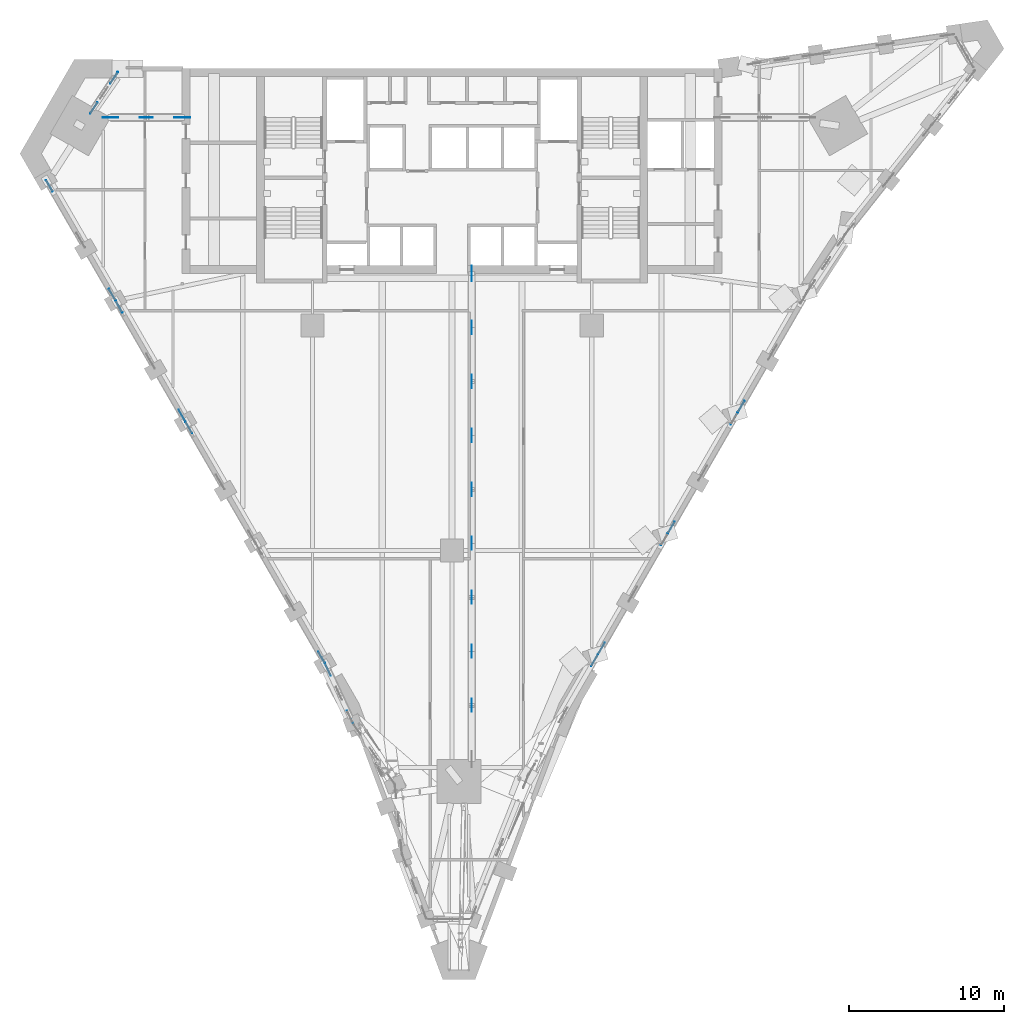
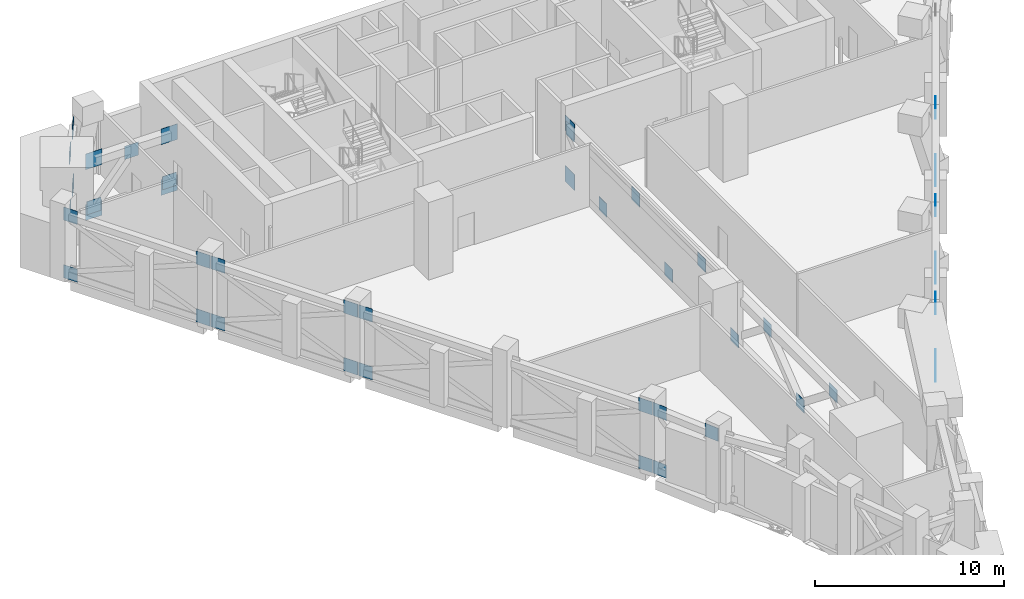
# One storey, part 13 of 20: 46 discrete accessories.
"""IFC4 building model written with IfcOpenShell, lengths in metres."""

from ifc_helpers import new_model, si_unit, direction, frame, origin, origin_2d, place, context, subcontext, project, spatial, rectangle, extrude, material, type_object, element, save


model = new_model("IFC4")

# Units and contexts
model_context = context("Model", 3, precision=1e-05, world=origin(), true_north=direction((0.0, 1.0)))
body_context = subcontext(model_context, "Body", "Model", "MODEL_VIEW")
ifc_project = project(units=[si_unit("LENGTHUNIT", "METRE"), si_unit("AREAUNIT", "SQUARE_METRE"), si_unit("VOLUMEUNIT", "CUBIC_METRE"), si_unit("PLANEANGLEUNIT", "RADIAN"), si_unit("MASSUNIT", "GRAM", prefix="KILO")], contexts=[model_context])

# Site, building, storey
site_placement = place(None, origin())
site = spatial("IfcSite", under=ifc_project, at=site_placement, CompositionType="ELEMENT")
building_placement = place(site_placement, origin())
building = spatial("IfcBuilding", under=site, at=building_placement, Name="Calabash Gate Tower", CompositionType="ELEMENT")
storey_placement = place(building_placement, frame((0.0, 0.0, 139.60009765625)))
storey = spatial("IfcBuildingStorey", under=building, at=storey_placement, Name="L32", CompositionType="ELEMENT", Elevation=139.60009765625)

# Discrete accessories
ifc_material = material(Name="Steel ASTM A572 Gr50", Category="steel")
discrete_accessory_type = type_object("IfcDiscreteAccessoryType", Name="Connection plate 25", PredefinedType="BRACKET", material=ifc_material)
for number, where, z_axis, x_axis, name in (
    (1, (-8.4130859375, -18.892822265625, -0.22216796875), (0.0, 0.0, 1.0), (0.499999984885, -0.866025412511, 0.0), "Connection plate Belt chord L32 1 end"),
    (2, (-8.4130859375, -18.892822265625, 3.50146484375), (0.0, 0.0, 1.0), (0.499999984885, -0.866025412511, 0.0), "Connection plate Belt chord L32 2 end"),
    (3, (-7.997802734375, -19.692138671875, -0.22216796875), (0.0, 0.0, 1.0), (0.421566092498, -0.906797678458, 0.0), "Connection plate Belt chord L32 6 start"),
    (4, (-7.997802734375, -19.692138671875, 3.50146484375), (0.0, 0.0, 1.0), (0.421566092498, -0.906797678458, 0.0), "Connection plate Belt chord L32 7 start"),
    (5, (-6.58642578125, -22.72802734375, 3.50146484375), (0.0, 0.0, 1.0), (0.421566092498, -0.906797678458, 0.0), "Connection plate Belt chord L32 7 end"),
    (6, (9.181640625, -19.101806640625, -0.22216796875), (0.0, 0.0, 1.0), (0.50000003023, 0.866025386331, 0.0), "Connection plate Belt chord L32 36 end"),
    (7, (9.634033203125, -18.318115234375, 3.501953125), (0.0, 0.0, 1.0), (0.499986487134, 0.866033205301, 0.0), "Connection plate Belt chord L32 37 end"),
    (8, (9.631591796875, -18.322509765625, -0.22216796875), (0.0, 0.0, 1.0), (0.49999993954, 0.866025438691, 0.0), "Connection plate Belt chord L32 41 start"),
    (9, (13.681640625, -11.3076171875, -0.22216796875), (0.0, 0.0, 1.0), (0.49999993954, 0.866025438691, 0.0), "Connection plate Belt chord L32 41 end"),
    (10, (14.134033203125, -10.52392578125, 3.501953125), (0.0, 0.0, 1.0), (0.499997430449, 0.86602688731, 0.0), "Connection plate Belt chord L32 42 end"),
    (11, (14.131591796875, -10.5283203125, -0.22216796875), (0.0, 0.0, 1.0), (0.499999984885, 0.866025412511, 0.0), "Connection plate Belt chord L32 46 start"),
    (12, (18.181640625, -3.513427734375, -0.22216796875), (0.0, 0.0, 1.0), (0.499999984885, 0.866025412511, 0.0), "Connection plate Belt chord L32 46 end"),
    (13, (18.634033203125, -2.72998046875, 3.501953125), (0.0, 0.0, 1.0), (0.500008434143, 0.866020534275, 0.0), "Connection plate Belt chord L32 47 end"),
    (14, (18.631591796875, -2.734130859375, -0.22216796875), (0.0, 0.0, 1.0), (0.49999993954, 0.866025438691, 0.0), "Connection plate Belt chord L32 51 start"),
    (15, (-21.77099609375, 18.493896484375, -0.22216796875), (0.0, 0.0, 1.0), (-0.55617631918, -0.8310643188, 0.0), "Connection plate Belt chord L32 86 start"),
    (16, (-23.08984375, 16.523193359375, -0.22216796875), (0.0, 0.0, 1.0), (-0.55617631918, -0.8310643188, 0.0), "Connection plate Belt chord L32 86 end"),
    (17, (-21.798583984375, 18.45263671875, 3.50146484375), (0.0, 0.0, 1.0), (-0.556242285298, -0.831020168255, 0.0), "Connection plate Belt chord L32 87 start"),
    (18, (-23.08984375, 16.523193359375, 3.50146484375), (0.0, 0.0, 1.0), (-0.556242285298, -0.831020168255, 0.0), "Connection plate Belt chord L32 87 end"),
    (19, (-25.963134765625, 11.504638671875, -0.22216796875), (0.0, 0.0, 1.0), (0.49999993954, -0.866025438691, 0.0), "Connection plate Belt chord L32 91 start"),
    (20, (-21.9130859375, 4.489990234375, -0.22216796875), (0.0, 0.0, 1.0), (0.49999993954, -0.866025438691, 0.0), "Connection plate Belt chord L32 91 end"),
    (21, (-25.963134765625, 11.504638671875, 3.50146484375), (0.0, 0.0, 1.0), (0.49999993954, -0.866025438691, 0.0), "Connection plate Belt chord L32 92 start"),
    (22, (-21.9130859375, 4.489990234375, 3.50146484375), (0.0, 0.0, 1.0), (0.49999993954, -0.866025438691, 0.0), "Connection plate Belt chord L32 92 end"),
    (23, (-21.463134765625, 3.71044921875, -0.22216796875), (0.0, 0.0, 1.0), (0.499999984885, -0.866025412511, 0.0), "Connection plate Belt chord L32 96 start"),
    (24, (-17.4130859375, -3.304443359375, -0.22216796875), (0.0, 0.0, 1.0), (0.499999984885, -0.866025412511, 0.0), "Connection plate Belt chord L32 96 end"),
    (25, (-21.463134765625, 3.71044921875, 3.50146484375), (0.0, 0.0, 1.0), (0.499999984885, -0.866025412511, 0.0), "Connection plate Belt chord L32 97 start"),
    (26, (-17.4130859375, -3.304443359375, 3.50146484375), (0.0, 0.0, 1.0), (0.499999984885, -0.866025412511, 0.0), "Connection plate Belt chord L32 97 end"),
    (27, (-16.963134765625, -4.083740234375, -0.22216796875), (0.0, 0.0, 1.0), (0.49999993954, -0.866025438691, 0.0), "Connection plate Belt chord L32 101 start"),
    (28, (-16.963134765625, -4.083740234375, 3.50146484375), (0.0, 0.0, 1.0), (0.49999993954, -0.866025438691, 0.0), "Connection plate Belt chord L32 102 start"),
):
    element("IfcDiscreteAccessory", number, at=place(storey_placement, frame(where, z_axis=z_axis, x_axis=x_axis)), inside=storey, type_object=discrete_accessory_type, Name=name, PredefinedType="BRACKET", context=body_context, shape_type="SweptSolid", body=[
        extrude(rectangle(XDim=0.850341796875, YDim=0.02490234375, at=origin_2d()), origin(), (0.0, 0.0, 1.0), 0.850341796875),
    ])
for number, where, z_axis, x_axis, name in (
    (29, (-22.015869140625, 15.903076171875, -0.25244140625), (0.0, 0.0, 1.0), (1.0, 0.0, 0.0), "Connection plate Outrigger chord L32 NW start"),
    (30, (-17.39990234375, 15.903076171875, -0.25244140625), (0.0, 0.0, 1.0), (1.0, 0.0, 0.0), "Connection plate Outrigger chord L32 NW end"),
    (31, (-22.015869140625, 15.903076171875, 3.01953125), (0.0, 0.0, 1.0), (1.0, 0.0, 0.0), "Connection plate Outrigger chord L32 NW start"),
    (32, (-17.39990234375, 15.903076171875, 3.01953125), (0.0, 0.0, 1.0), (1.0, 0.0, 0.0), "Connection plate Outrigger chord L32 NW end"),
):
    element("IfcDiscreteAccessory", number, at=place(storey_placement, frame(where, z_axis=z_axis, x_axis=x_axis)), inside=storey, type_object=discrete_accessory_type, Name=name, PredefinedType="BRACKET", context=body_context, shape_type="SweptSolid", body=[
        extrude(rectangle(XDim=1.0126953125, YDim=0.02490234375, at=origin_2d()), origin(), (0.0, 0.0, 1.0), 1.0126953125),
    ])
for number, where, z_axis, x_axis, name in (
    (33, (-22.015869140625, 15.903076171875, 0.08251953125), (0.0, 0.0, 1.0), (1.0, 0.0, 0.0), "Connection plate Outrigger diagonal L32 NW start"),
    (34, (-19.7080078125, 15.903076171875, 2.8466796875), (0.0, 0.0, 1.0), (1.0, 0.0, 0.0), "Connection plate Outrigger diagonal L32 NW end"),
    (35, (-17.39990234375, 15.903076171875, 0.08251953125), (0.0, 0.0, 1.0), (1.0, 0.0, 0.0), "Connection plate Outrigger diagonal L32 NW end"),
):
    element("IfcDiscreteAccessory", number, at=place(storey_placement, frame(where, z_axis=z_axis, x_axis=x_axis)), inside=storey, type_object=discrete_accessory_type, Name=name, PredefinedType="BRACKET", context=body_context, shape_type="SweptSolid", body=[
        extrude(rectangle(XDim=0.850341796875, YDim=0.02490234375, at=origin_2d()), origin(), (0.0, 0.0, 1.0), 0.850341796875),
    ])
for number, where, z_axis, x_axis, name in (
    (36, (1.26953125, 5.8525390625, -0.25244140625), (0.0, 0.0, 1.0), (0.0, 1.0, 0.0), "Connection plate Outrigger chord L32 S end"),
    (37, (1.26953125, 5.8525390625, 3.01953125), (0.0, 0.0, 1.0), (0.0, 1.0, 0.0), "Connection plate Outrigger chord L32 S end"),
):
    element("IfcDiscreteAccessory", number, at=place(storey_placement, frame(where, z_axis=z_axis, x_axis=x_axis)), inside=storey, type_object=discrete_accessory_type, Name=name, PredefinedType="BRACKET", context=body_context, shape_type="SweptSolid", body=[
        extrude(rectangle(XDim=1.0126953125, YDim=0.02490234375, at=origin_2d()), origin(), (0.0, 0.0, 1.0), 1.0126953125),
    ])
for number, where, z_axis, x_axis, name in (
    (38, (1.26953125, -21.98779296875, 2.8466796875), (0.0, 0.0, 1.0), (0.0, 1.0, 0.0), "Connection plate Outrigger diagonal L32 S end"),
    (39, (1.26953125, -18.5078125, 0.08251953125), (0.0, 0.0, 1.0), (0.0, 1.0, 0.0), "Connection plate Outrigger diagonal L32 S end"),
    (40, (1.26953125, -15.027587890625, 2.8466796875), (0.0, 0.0, 1.0), (0.0, 1.0, 0.0), "Connection plate Outrigger diagonal L32 S end"),
    (41, (1.26953125, -11.547607421875, 0.08251953125), (0.0, 0.0, 1.0), (0.0, 1.0, 0.0), "Connection plate Outrigger diagonal L32 S end"),
    (42, (1.26953125, -8.067626953125, 2.8466796875), (0.0, 0.0, 1.0), (0.0, 1.0, 0.0), "Connection plate Outrigger diagonal L32 S end"),
    (43, (1.26953125, -4.587646484375, 0.08251953125), (0.0, 0.0, 1.0), (0.0, 1.0, 0.0), "Connection plate Outrigger diagonal L32 S end"),
    (44, (1.26953125, -1.107421875, 2.8466796875), (0.0, 0.0, 1.0), (0.0, 1.0, 0.0), "Connection plate Outrigger diagonal L32 S end"),
    (45, (1.26953125, 2.37255859375, 0.08251953125), (0.0, 0.0, 1.0), (0.0, 1.0, 0.0), "Connection plate Outrigger diagonal L32 S end"),
    (46, (1.26953125, 5.8525390625, 2.8466796875), (0.0, 0.0, 1.0), (0.0, 1.0, 0.0), "Connection plate Outrigger diagonal L32 S end"),
):
    element("IfcDiscreteAccessory", number, at=place(storey_placement, frame(where, z_axis=z_axis, x_axis=x_axis)), inside=storey, type_object=discrete_accessory_type, Name=name, PredefinedType="BRACKET", context=body_context, shape_type="SweptSolid", body=[
        extrude(rectangle(XDim=0.850341796875, YDim=0.02490234375, at=origin_2d()), origin(), (0.0, 0.0, 1.0), 0.850341796875),
    ])

save(model, "model.ifc")
